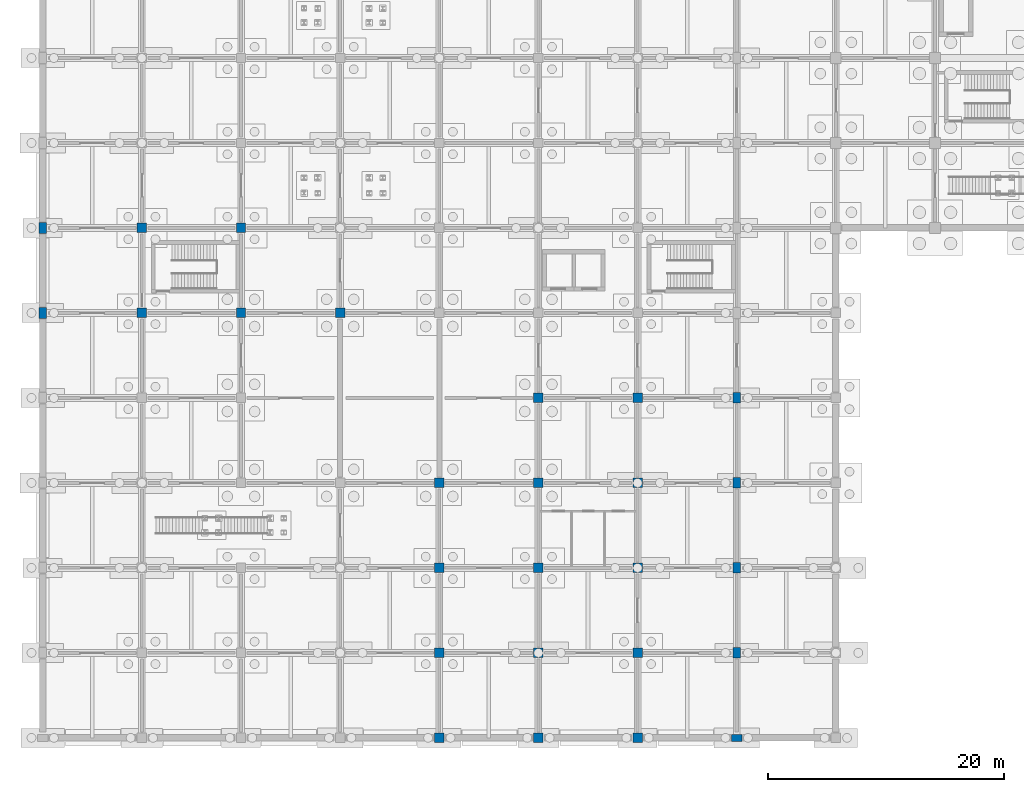
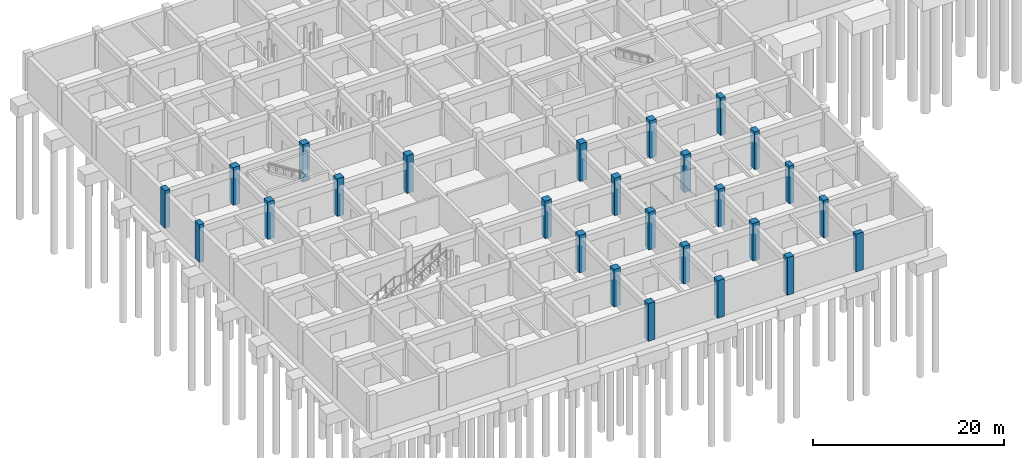
# One storey, part 7 of 38: 26 columns.
"""IFC4 building model written with IfcOpenShell, lengths in metres."""

from ifc_helpers import new_model, si_unit, derived_unit, direction, frame, origin, origin_2d, place, context, subcontext, project, spatial, rectangle, extrude, material, material_profile, profile_set, type_object, element, save


model = new_model("IFC4")

# Units and contexts
model_context = context("Model", 3, precision=1e-05, world=origin(), true_north=direction((0.0, 1.0)))
body_context = subcontext(model_context, "Body", "Model", "MODEL_VIEW")
ifc_project = project(units=[si_unit("LENGTHUNIT", "METRE"), si_unit("AREAUNIT", "SQUARE_METRE"), si_unit("VOLUMEUNIT", "CUBIC_METRE"), si_unit("PLANEANGLEUNIT", "RADIAN"), si_unit("MASSUNIT", "GRAM", prefix="KILO"), derived_unit("THERMALTRANSMITTANCEUNIT", [(si_unit("MASSUNIT", "GRAM", prefix="KILO"), 1), (si_unit("TIMEUNIT", "SECOND"), -3), (si_unit("THERMODYNAMICTEMPERATUREUNIT", "KELVIN"), -1)])], contexts=[model_context])

# Site, building, storey
site_placement = place(None, origin())
site = spatial("IfcSite", under=ifc_project, at=site_placement, CompositionType="ELEMENT")
building_placement = place(site_placement, origin())
building = spatial("IfcBuilding", under=site, at=building_placement, Name="Veldstrom Oceanarium and Marine Research Institute", CompositionType="ELEMENT")
storey_placement = place(building_placement, frame((0.0, 0.0, -9.60009765625)))
storey = spatial("IfcBuildingStorey", under=building, at=storey_placement, Name="B02", CompositionType="ELEMENT", Elevation=-9.60009765625)

# Columns
ifc_material_1 = material(Name="Concrete C50/60", Category="concrete")
ifc_material_profile_1 = material_profile(ifc_material_1, rectangle(XDim=0.800048828125, YDim=0.800048828125, at=origin_2d()), Name="RC-COL-800x800")
ifc_profile_set_1 = profile_set([ifc_material_profile_1], Name="Concrete C50/60")
column_type_1 = type_object("IfcColumnType", Name="STR-COL-C04", PredefinedType="COLUMN", material=ifc_profile_set_1)
for number, where, z_axis, x_axis, name in (
    (1, (8.39990234375, 36.0, 0.0), (0.0, 0.0, 1.0), (1.0, 0.0, 0.0), "Column C04 2/F B02"),
    (2, (8.39990234375, 43.199951171875, 0.0), (0.0, 0.0, 1.0), (1.0, 0.0, 0.0), "Column C04 2/G B02"),
    (3, (16.800048828125, 36.0, 0.0), (0.0, 0.0, 1.0), (1.0, 0.0, 0.0), "Column C04 3/F B02"),
    (4, (16.800048828125, 43.199951171875, 0.0), (0.0, 0.0, 1.0), (1.0, 0.0, 0.0), "Column C04 3/G B02"),
    (5, (25.199951171875, 36.0, 0.0), (0.0, 0.0, 1.0), (1.0, 0.0, 0.0), "Column C04 4/F B02"),
    (6, (33.60009765625, 0.0, 0.0), (0.0, 0.0, 1.0), (1.0, 0.0, 0.0), "Column C04 5/A B02"),
    (7, (33.60009765625, 7.199951171875, 0.0), (0.0, 0.0, 1.0), (1.0, 0.0, 0.0), "Column C04 5/B B02"),
    (8, (33.60009765625, 14.39990234375, 0.0), (0.0, 0.0, 1.0), (1.0, 0.0, 0.0), "Column C04 5/C B02"),
    (9, (33.60009765625, 21.60009765625, 0.0), (0.0, 0.0, 1.0), (1.0, 0.0, 0.0), "Column C04 5/D B02"),
    (10, (42.0, 0.0, 0.0), (0.0, 0.0, 1.0), (1.0, 0.0, 0.0), "Column C04 6/A B02"),
    (11, (42.0, 7.199951171875, 0.0), (0.0, 0.0, 1.0), (1.0, 0.0, 0.0), "Column C04 6/B B02"),
    (12, (42.0, 14.39990234375, 0.0), (0.0, 0.0, 1.0), (1.0, 0.0, 0.0), "Column C04 6/C B02"),
    (13, (42.0, 21.60009765625, 0.0), (0.0, 0.0, 1.0), (1.0, 0.0, 0.0), "Column C04 6/D B02"),
    (14, (42.0, 28.800048828125, 0.0), (0.0, 0.0, 1.0), (1.0, 0.0, 0.0), "Column C04 6/E B02"),
    (15, (50.39990234375, 0.0, 0.0), (0.0, 0.0, 1.0), (1.0, 0.0, 0.0), "Column C04 7/A B02"),
    (16, (50.39990234375, 7.199951171875, 0.0), (0.0, 0.0, 1.0), (1.0, 0.0, 0.0), "Column C04 7/B B02"),
    (17, (50.39990234375, 14.39990234375, 0.0), (0.0, 0.0, 1.0), (1.0, 0.0, 0.0), "Column C04 7/C B02"),
    (18, (50.39990234375, 21.60009765625, 0.0), (0.0, 0.0, 1.0), (1.0, 0.0, 0.0), "Column C04 7/D B02"),
    (19, (50.39990234375, 28.800048828125, 0.0), (0.0, 0.0, 1.0), (1.0, 0.0, 0.0), "Column C04 7/E B02"),
):
    element("IfcColumn", number, at=place(storey_placement, frame(where, z_axis=z_axis, x_axis=x_axis)), inside=storey, type_object=column_type_1, Name=name, PredefinedType="COLUMN", context=body_context, shape_type="SweptSolid", body=[
        extrude(rectangle(XDim=0.800048828125, YDim=0.800048828125, at=origin_2d()), origin(), (0.0, 0.0, 1.0), 4.800048828125),
    ])
ifc_material_2 = material(Name="Concrete C50/60", Category="concrete")
ifc_material_profile_2 = material_profile(ifc_material_2, rectangle(XDim=0.60009765625, YDim=0.89990234375, at=origin_2d()), Name="RC-COL-900x600")
ifc_profile_set_2 = profile_set([ifc_material_profile_2], Name="Concrete C50/60")
column_type_2 = type_object("IfcColumnType", Name="STR-COL-C11", PredefinedType="COLUMN", material=ifc_profile_set_2)
for number, where, z_axis, x_axis, name in (
    (20, (0.0, 36.0, 0.0), (0.0, 0.0, 1.0), (1.0, 0.0, 0.0), "Column C11 1/F B02"),
    (21, (0.0, 43.199951171875, 0.0), (0.0, 0.0, 1.0), (1.0, 0.0, 0.0), "Column C11 1/G B02"),
    (22, (58.800048828125, 0.0, 0.0), (0.0, 0.0, 1.0), (0.0, 1.0, 0.0), "Column C11 8/A B02"),
    (23, (58.800048828125, 7.199951171875, 0.0), (0.0, 0.0, 1.0), (1.0, 0.0, 0.0), "Column C11 8/B B02"),
    (24, (58.800048828125, 14.39990234375, 0.0), (0.0, 0.0, 1.0), (1.0, 0.0, 0.0), "Column C11 8/C B02"),
    (25, (58.800048828125, 21.60009765625, 0.0), (0.0, 0.0, 1.0), (1.0, 0.0, 0.0), "Column C11 8/D B02"),
    (26, (58.800048828125, 28.800048828125, 0.0), (0.0, 0.0, 1.0), (1.0, 0.0, 0.0), "Column C11 8/E B02"),
):
    element("IfcColumn", number, at=place(storey_placement, frame(where, z_axis=z_axis, x_axis=x_axis)), inside=storey, type_object=column_type_2, Name=name, PredefinedType="COLUMN", context=body_context, shape_type="SweptSolid", body=[
        extrude(rectangle(XDim=0.60009765625, YDim=0.89990234375, at=origin_2d()), origin(), (0.0, 0.0, 1.0), 4.800048828125),
    ])

save(model, "model.ifc")
